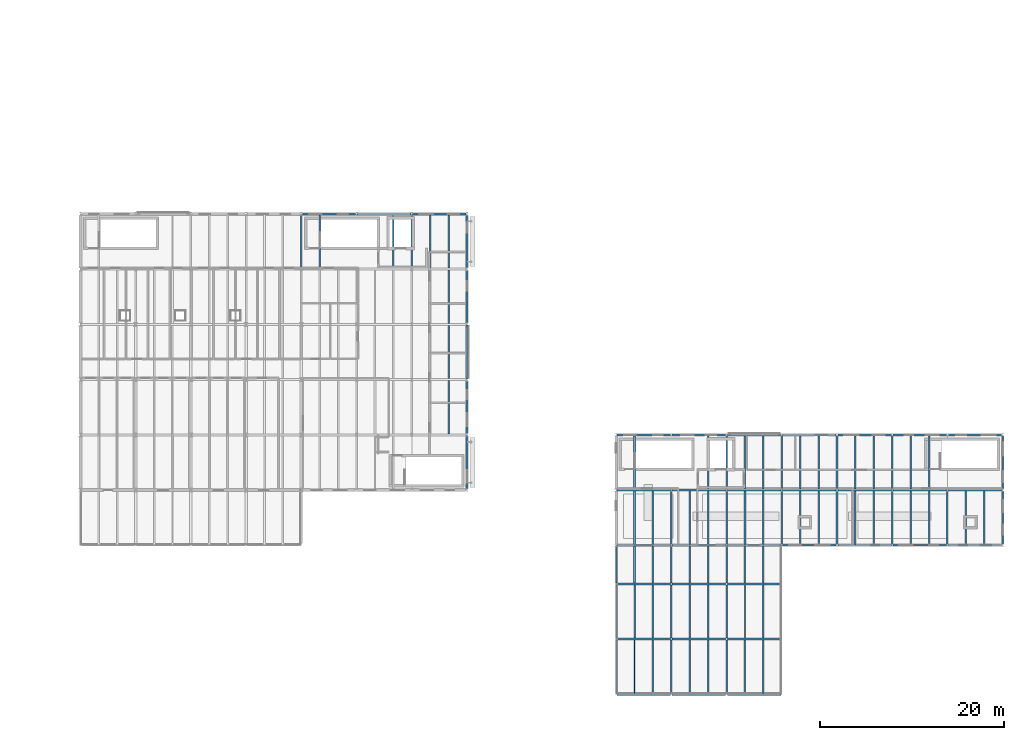
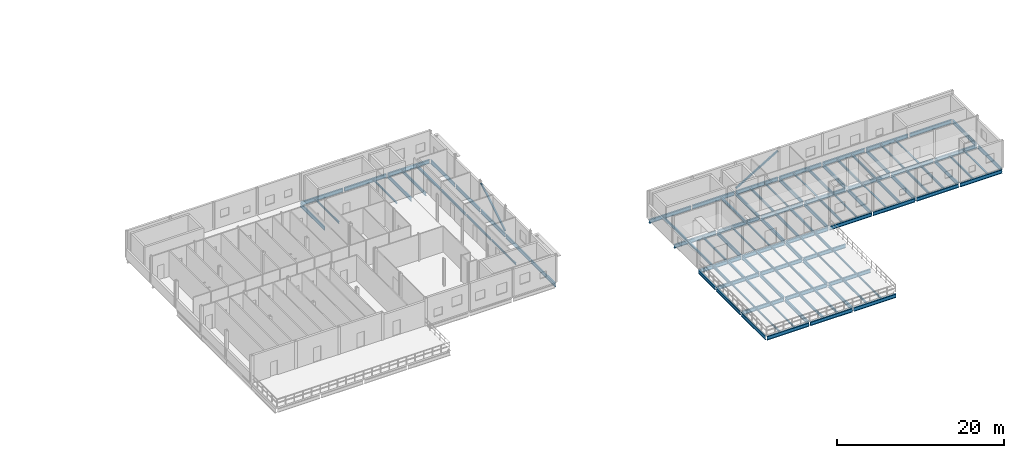
# One storey, part 10 of 45: 110 beams, 2 members.
"""IFC4 building model written with IfcOpenShell, lengths in metres."""

from ifc_helpers import new_model, si_unit, direction, frame, origin, origin_2d, place, context, subcontext, project, spatial, hollow_rectangle, i_section, extrude, material, material_profile, profile_set, type_object, element, save


model = new_model("IFC4")

# Units and contexts
model_context = context("Model", 3, precision=1e-05, world=origin(), true_north=direction((0.0, 1.0)))
body_context = subcontext(model_context, "Body", "Model", "MODEL_VIEW")
ifc_project = project(units=[si_unit("LENGTHUNIT", "METRE"), si_unit("AREAUNIT", "SQUARE_METRE"), si_unit("VOLUMEUNIT", "CUBIC_METRE"), si_unit("PLANEANGLEUNIT", "RADIAN"), si_unit("MASSUNIT", "GRAM", prefix="KILO")], contexts=[model_context])

# Site, building, storey
site_placement = place(None, origin())
site = spatial("IfcSite", under=ifc_project, at=site_placement, CompositionType="ELEMENT")
building_placement = place(site_placement, origin())
building = spatial("IfcBuilding", under=site, at=building_placement, Name="Siltcreek Boulevard Central Fire Station", CompositionType="ELEMENT")
storey_placement = place(building_placement, frame((0.0, 0.0, 10.0)))
storey = spatial("IfcBuildingStorey", under=building, at=storey_placement, Name="L03", CompositionType="ELEMENT", Elevation=10.0)

# Beams
ifc_material_1 = material(Name="Structural steel ASTM A992 Gr50", Category="steel")
ifc_material_profile_1 = material_profile(ifc_material_1, i_section(OverallWidth=0.2109375, OverallDepth=0.5390625, WebThickness=0.01171875, FlangeThickness=0.018798828125, at=origin_2d()), Name="W530X109")
ifc_profile_set_1 = profile_set([ifc_material_profile_1], Name="Structural steel ASTM A992 Gr50")
beam_type_1 = type_object("IfcBeamType", Name="BM_W530X109", PredefinedType="BEAM", material=ifc_profile_set_1)
for number, where, z_axis, x_axis, name in (
    (1, (90.10009765625, 54.0, -0.549560546875), (1.0, 0.0, 0.0), (0.0, 1.0, 0.0), "L03 primary steel girder GX-0355"),
    (2, (96.10009765625, 54.0, -0.549560546875), (1.0, 0.0, 0.0), (0.0, 1.0, 0.0), "L03 primary steel girder GX-0356"),
    (3, (102.10009765625, 54.0, -0.549560546875), (1.0, 0.0, 0.0), (0.0, 1.0, 0.0), "L03 primary steel girder GX-0357"),
):
    element("IfcBeam", number, at=place(storey_placement, frame(where, z_axis=z_axis, x_axis=x_axis)), inside=storey, type_object=beam_type_1, Name=name, PredefinedType="BEAM", context=body_context, shape_type="SweptSolid", body=[
        extrude(i_section(OverallWidth=0.2109375, OverallDepth=0.5390625, WebThickness=0.01171875, FlangeThickness=0.018798828125, at=origin_2d()), origin(), (0.0, 0.0, 1.0), 5.7998046875),
    ])
for number, where, z_axis, x_axis, name in (
    (4, (124.300048828125, 1.800048828125, -0.4794921875), (1.0, 0.0, 0.0), (0.0, 1.0, 0.0), "L03 primary steel girder GX-0465"),
    (5, (130.300048828125, 1.800048828125, -0.4794921875), (1.0, 0.0, 0.0), (0.0, 1.0, 0.0), "L03 primary steel girder GX-0466"),
    (6, (136.300048828125, 1.800048828125, -0.4794921875), (1.0, 0.0, 0.0), (0.0, 1.0, 0.0), "L03 primary steel girder GX-0467"),
    (7, (124.300048828125, 7.800048828125, -0.4794921875), (1.0, 0.0, 0.0), (0.0, 1.0, 0.0), "L03 primary steel girder GX-0468"),
    (8, (130.300048828125, 7.800048828125, -0.4794921875), (1.0, 0.0, 0.0), (0.0, 1.0, 0.0), "L03 primary steel girder GX-0469"),
    (9, (136.300048828125, 7.800048828125, -0.4794921875), (1.0, 0.0, 0.0), (0.0, 1.0, 0.0), "L03 primary steel girder GX-0470"),
    (10, (124.300048828125, 13.800048828125, -0.4794921875), (1.0, 0.0, 0.0), (0.0, 1.0, 0.0), "L03 primary steel girder GX-0471"),
    (11, (130.300048828125, 13.800048828125, -0.4794921875), (1.0, 0.0, 0.0), (0.0, 1.0, 0.0), "L03 primary steel girder GX-0472"),
    (12, (136.300048828125, 13.800048828125, -0.4794921875), (1.0, 0.0, 0.0), (0.0, 1.0, 0.0), "L03 primary steel girder GX-0473"),
    (13, (124.300048828125, 18.0, -0.549560546875), (1.0, 0.0, 0.0), (0.0, 1.0, 0.0), "L03 primary steel girder GX-0474"),
    (14, (130.300048828125, 18.0, -0.549560546875), (1.0, 0.0, 0.0), (0.0, 1.0, 0.0), "L03 primary steel girder GX-0475"),
    (15, (136.300048828125, 18.0, -0.549560546875), (1.0, 0.0, 0.0), (0.0, 1.0, 0.0), "L03 primary steel girder GX-0476"),
    (16, (142.300048828125, 18.0, -0.549560546875), (1.0, 0.0, 0.0), (0.0, 1.0, 0.0), "L03 primary steel girder GX-0477"),
    (17, (148.300048828125, 18.0, -0.549560546875), (1.0, 0.0, 0.0), (0.0, 1.0, 0.0), "L03 primary steel girder GX-0478"),
    (18, (154.300048828125, 18.0, -0.549560546875), (1.0, 0.0, 0.0), (0.0, 1.0, 0.0), "L03 primary steel girder GX-0479"),
    (19, (160.300048828125, 18.0, -0.549560546875), (1.0, 0.0, 0.0), (0.0, 1.0, 0.0), "L03 primary steel girder GX-0480"),
    (20, (124.300048828125, 24.0, -0.549560546875), (1.0, 0.0, 0.0), (0.0, 1.0, 0.0), "L03 primary steel girder GX-0481"),
    (21, (130.300048828125, 24.0, -0.549560546875), (1.0, 0.0, 0.0), (0.0, 1.0, 0.0), "L03 primary steel girder GX-0482"),
    (22, (136.300048828125, 24.0, -0.549560546875), (1.0, 0.0, 0.0), (0.0, 1.0, 0.0), "L03 primary steel girder GX-0483"),
    (23, (142.300048828125, 24.0, -0.549560546875), (1.0, 0.0, 0.0), (0.0, 1.0, 0.0), "L03 primary steel girder GX-0484"),
    (24, (148.300048828125, 24.0, -0.549560546875), (1.0, 0.0, 0.0), (0.0, 1.0, 0.0), "L03 primary steel girder GX-0485"),
    (25, (154.300048828125, 24.0, -0.549560546875), (1.0, 0.0, 0.0), (0.0, 1.0, 0.0), "L03 primary steel girder GX-0486"),
    (26, (160.300048828125, 24.0, -0.549560546875), (1.0, 0.0, 0.0), (0.0, 1.0, 0.0), "L03 primary steel girder GX-0487"),
    (27, (124.300048828125, 30.0, -0.549560546875), (1.0, 0.0, 0.0), (0.0, 1.0, 0.0), "L03 primary steel girder GX-0488"),
    (28, (130.300048828125, 30.0, -0.549560546875), (1.0, 0.0, 0.0), (0.0, 1.0, 0.0), "L03 primary steel girder GX-0489"),
    (29, (136.300048828125, 30.0, -0.549560546875), (1.0, 0.0, 0.0), (0.0, 1.0, 0.0), "L03 primary steel girder GX-0490"),
    (30, (142.300048828125, 30.0, -0.549560546875), (1.0, 0.0, 0.0), (0.0, 1.0, 0.0), "L03 primary steel girder GX-0491"),
    (31, (148.300048828125, 30.0, -0.549560546875), (1.0, 0.0, 0.0), (0.0, 1.0, 0.0), "L03 primary steel girder GX-0492"),
    (32, (154.300048828125, 30.0, -0.549560546875), (1.0, 0.0, 0.0), (0.0, 1.0, 0.0), "L03 primary steel girder GX-0493"),
    (33, (160.300048828125, 30.0, -0.549560546875), (1.0, 0.0, 0.0), (0.0, 1.0, 0.0), "L03 primary steel girder GX-0494"),
):
    element("IfcBeam", number, at=place(storey_placement, frame(where, z_axis=z_axis, x_axis=x_axis)), inside=storey, type_object=beam_type_1, Name=name, PredefinedType="BEAM", context=body_context, shape_type="SweptSolid", body=[
        extrude(i_section(OverallWidth=0.2109375, OverallDepth=0.5390625, WebThickness=0.01171875, FlangeThickness=0.018798828125, at=origin_2d()), origin(), (0.0, 0.0, 1.0), 5.800048828125),
    ])
ifc_material_profile_2 = material_profile(ifc_material_1, i_section(OverallWidth=0.166015625, OverallDepth=0.534912109375, WebThickness=0.01025390625, FlangeThickness=0.0166015625, at=origin_2d()), Name="W530X85")
ifc_profile_set_2 = profile_set([ifc_material_profile_2], Name="Structural steel ASTM A992 Gr50")
beam_type_2 = type_object("IfcBeamType", Name="BM_W530X85", PredefinedType="BEAM", material=ifc_profile_set_2)
for number, where, z_axis, x_axis, name in (
    (34, (90.0, 48.10009765625, -0.547607421875), (0.0, 1.0, 0.0), (-1.0, 0.0, 0.0), "L03 primary steel girder GY-0364"),
    (35, (102.0, 48.10009765625, -0.547607421875), (0.0, 1.0, 0.0), (-1.0, 0.0, 0.0), "L03 primary steel girder GY-0372"),
    (36, (108.0, 24.10009765625, -0.547607421875), (0.0, 1.0, 0.0), (-1.0, 0.0, 0.0), "L03 primary steel girder GY-0373"),
    (37, (108.0, 30.10009765625, -0.547607421875), (0.0, 1.0, 0.0), (-1.0, 0.0, 0.0), "L03 primary steel girder GY-0374"),
    (38, (108.0, 36.10009765625, -0.547607421875), (0.0, 1.0, 0.0), (-1.0, 0.0, 0.0), "L03 primary steel girder GY-0375"),
    (39, (108.0, 42.10009765625, -0.547607421875), (0.0, 1.0, 0.0), (-1.0, 0.0, 0.0), "L03 primary steel girder GY-0376"),
    (40, (108.0, 48.10009765625, -0.547607421875), (0.0, 1.0, 0.0), (-1.0, 0.0, 0.0), "L03 primary steel girder GY-0377"),
):
    element("IfcBeam", number, at=place(storey_placement, frame(where, z_axis=z_axis, x_axis=x_axis)), inside=storey, type_object=beam_type_2, Name=name, PredefinedType="BEAM", context=body_context, shape_type="SweptSolid", body=[
        extrude(i_section(OverallWidth=0.166015625, OverallDepth=0.534912109375, WebThickness=0.01025390625, FlangeThickness=0.0166015625, at=origin_2d()), origin(), (0.0, 0.0, 1.0), 5.7998046875),
    ])
for number, where, z_axis, x_axis, name in (
    (41, (124.199951171875, 1.89990234375, -0.4775390625), (0.0, 1.0, 0.0), (-1.0, 0.0, 0.0), "L03 primary steel girder GY-0495"),
    (42, (124.199951171875, 7.89990234375, -0.4775390625), (0.0, 1.0, 0.0), (-1.0, 0.0, 0.0), "L03 primary steel girder GY-0496"),
):
    element("IfcBeam", number, at=place(storey_placement, frame(where, z_axis=z_axis, x_axis=x_axis)), inside=storey, type_object=beam_type_2, Name=name, PredefinedType="BEAM", context=body_context, shape_type="SweptSolid", body=[
        extrude(i_section(OverallWidth=0.166015625, OverallDepth=0.534912109375, WebThickness=0.01025390625, FlangeThickness=0.0166015625, at=origin_2d()), origin(), (0.0, 0.0, 1.0), 5.800048828125),
    ])
beam_1_placement = place(storey_placement, frame((124.199951171875, 13.89990234375, -0.4775390625), z_axis=(0.0, 1.0, 0.0), x_axis=(-1.0, 0.0, 0.0)))
element("IfcBeam", 43, at=beam_1_placement, inside=storey, type_object=beam_type_2, Name="L03 primary steel girder GY-0497", PredefinedType="BEAM", context=body_context, shape_type="SweptSolid", body=[
    extrude(i_section(OverallWidth=0.166015625, OverallDepth=0.534912109375, WebThickness=0.01025390625, FlangeThickness=0.0166015625, at=origin_2d()), origin(), (0.0, 0.0, 1.0), 4.0),
])
for number, where, z_axis, x_axis, name in (
    (44, (130.199951171875, 1.89990234375, -0.4775390625), (0.0, 1.0, 0.0), (-1.0, 0.0, 0.0), "L03 primary steel girder GY-0498"),
    (45, (130.199951171875, 7.89990234375, -0.4775390625), (0.0, 1.0, 0.0), (-1.0, 0.0, 0.0), "L03 primary steel girder GY-0499"),
):
    element("IfcBeam", number, at=place(storey_placement, frame(where, z_axis=z_axis, x_axis=x_axis)), inside=storey, type_object=beam_type_2, Name=name, PredefinedType="BEAM", context=body_context, shape_type="SweptSolid", body=[
        extrude(i_section(OverallWidth=0.166015625, OverallDepth=0.534912109375, WebThickness=0.01025390625, FlangeThickness=0.0166015625, at=origin_2d()), origin(), (0.0, 0.0, 1.0), 5.800048828125),
    ])
beam_2_placement = place(storey_placement, frame((130.199951171875, 13.89990234375, -0.4775390625), z_axis=(0.0, 1.0, 0.0), x_axis=(-1.0, 0.0, 0.0)))
element("IfcBeam", 46, at=beam_2_placement, inside=storey, type_object=beam_type_2, Name="L03 primary steel girder GY-0500", PredefinedType="BEAM", context=body_context, shape_type="SweptSolid", body=[
    extrude(i_section(OverallWidth=0.166015625, OverallDepth=0.534912109375, WebThickness=0.01025390625, FlangeThickness=0.0166015625, at=origin_2d()), origin(), (0.0, 0.0, 1.0), 4.0),
])
beam_3_placement = place(storey_placement, frame((130.199951171875, 18.10009765625, -0.547607421875), z_axis=(0.0, 1.0, 0.0), x_axis=(-1.0, 0.0, 0.0)))
element("IfcBeam", 47, at=beam_3_placement, inside=storey, type_object=beam_type_2, Name="L03 primary steel girder GY-0501", PredefinedType="BEAM", context=body_context, shape_type="SweptSolid", body=[
    extrude(i_section(OverallWidth=0.166015625, OverallDepth=0.534912109375, WebThickness=0.01025390625, FlangeThickness=0.0166015625, at=origin_2d()), origin(), (0.0, 0.0, 1.0), 5.7998046875),
])
for number, where, z_axis, x_axis, name in (
    (48, (136.199951171875, 1.89990234375, -0.4775390625), (0.0, 1.0, 0.0), (-1.0, 0.0, 0.0), "L03 primary steel girder GY-0502"),
    (49, (136.199951171875, 7.89990234375, -0.4775390625), (0.0, 1.0, 0.0), (-1.0, 0.0, 0.0), "L03 primary steel girder GY-0503"),
):
    element("IfcBeam", number, at=place(storey_placement, frame(where, z_axis=z_axis, x_axis=x_axis)), inside=storey, type_object=beam_type_2, Name=name, PredefinedType="BEAM", context=body_context, shape_type="SweptSolid", body=[
        extrude(i_section(OverallWidth=0.166015625, OverallDepth=0.534912109375, WebThickness=0.01025390625, FlangeThickness=0.0166015625, at=origin_2d()), origin(), (0.0, 0.0, 1.0), 5.800048828125),
    ])
beam_4_placement = place(storey_placement, frame((136.199951171875, 13.89990234375, -0.4775390625), z_axis=(0.0, 1.0, 0.0), x_axis=(-1.0, 0.0, 0.0)))
element("IfcBeam", 50, at=beam_4_placement, inside=storey, type_object=beam_type_2, Name="L03 primary steel girder GY-0504", PredefinedType="BEAM", context=body_context, shape_type="SweptSolid", body=[
    extrude(i_section(OverallWidth=0.166015625, OverallDepth=0.534912109375, WebThickness=0.01025390625, FlangeThickness=0.0166015625, at=origin_2d()), origin(), (0.0, 0.0, 1.0), 4.0),
])
for number, where, z_axis, x_axis, name in (
    (51, (136.199951171875, 18.10009765625, -0.547607421875), (0.0, 1.0, 0.0), (-1.0, 0.0, 0.0), "L03 primary steel girder GY-0505"),
    (52, (136.199951171875, 24.10009765625, -0.547607421875), (0.0, 1.0, 0.0), (-1.0, 0.0, 0.0), "L03 primary steel girder GY-0506"),
    (53, (142.199951171875, 18.10009765625, -0.547607421875), (0.0, 1.0, 0.0), (-1.0, 0.0, 0.0), "L03 primary steel girder GY-0507"),
    (54, (142.199951171875, 24.10009765625, -0.547607421875), (0.0, 1.0, 0.0), (-1.0, 0.0, 0.0), "L03 primary steel girder GY-0508"),
    (55, (148.199951171875, 18.10009765625, -0.547607421875), (0.0, 1.0, 0.0), (-1.0, 0.0, 0.0), "L03 primary steel girder GY-0509"),
    (56, (148.199951171875, 24.10009765625, -0.547607421875), (0.0, 1.0, 0.0), (-1.0, 0.0, 0.0), "L03 primary steel girder GY-0510"),
    (57, (154.199951171875, 18.10009765625, -0.547607421875), (0.0, 1.0, 0.0), (-1.0, 0.0, 0.0), "L03 primary steel girder GY-0511"),
    (58, (154.199951171875, 24.10009765625, -0.547607421875), (0.0, 1.0, 0.0), (-1.0, 0.0, 0.0), "L03 primary steel girder GY-0512"),
    (59, (160.199951171875, 18.10009765625, -0.547607421875), (0.0, 1.0, 0.0), (-1.0, 0.0, 0.0), "L03 primary steel girder GY-0513"),
    (60, (166.199951171875, 18.10009765625, -0.547607421875), (0.0, 1.0, 0.0), (-1.0, 0.0, 0.0), "L03 primary steel girder GY-0514"),
    (61, (166.199951171875, 24.10009765625, -0.547607421875), (0.0, 1.0, 0.0), (-1.0, 0.0, 0.0), "L03 primary steel girder GY-0515"),
):
    element("IfcBeam", number, at=place(storey_placement, frame(where, z_axis=z_axis, x_axis=x_axis)), inside=storey, type_object=beam_type_2, Name=name, PredefinedType="BEAM", context=body_context, shape_type="SweptSolid", body=[
        extrude(i_section(OverallWidth=0.166015625, OverallDepth=0.534912109375, WebThickness=0.01025390625, FlangeThickness=0.0166015625, at=origin_2d()), origin(), (0.0, 0.0, 1.0), 5.7998046875),
    ])

# Members
ifc_material_2 = material(Name="Structural steel ASTM A500 GrC", Category="steel")
ifc_material_profile_3 = material_profile(ifc_material_2, hollow_rectangle(XDim=0.199951171875, YDim=0.199951171875, WallThickness=0.00634765625, at=origin_2d()), Name="HSS200X200X6.4")
ifc_profile_set_3 = profile_set([ifc_material_profile_3], Name="Structural steel ASTM A500 GrC")
member_type = type_object("IfcMemberType", Name="BR_HSS200_6", PredefinedType="BRACE", material=ifc_profile_set_3)
member_1_placement = place(storey_placement, frame((108.0, 36.1201171875, 0.10009765625), z_axis=(0.0, 0.857880912355, 0.513848557667), x_axis=(-1.0, 0.0, 0.0)))
element("IfcMember", 62, at=member_1_placement, inside=storey, type_object=member_type, Name="L03 buckling-restrained brace BR-010", PredefinedType="BRACE", context=body_context, shape_type="SweptSolid", body=[
    extrude(hollow_rectangle(XDim=0.199951171875, YDim=0.199951171875, WallThickness=0.00634765625, at=origin_2d()), origin(), (0.0, 0.0, 1.0), 6.7138671875),
])
member_2_placement = place(storey_placement, frame((136.320068359375, 30.0, 0.10009765625), z_axis=(0.857890513261, 0.0, 0.513832528415), x_axis=(0.0, 1.0, 0.0)))
element("IfcMember", 63, at=member_2_placement, inside=storey, type_object=member_type, Name="L03 buckling-restrained brace BR-041", PredefinedType="BRACE", context=body_context, shape_type="SweptSolid", body=[
    extrude(hollow_rectangle(XDim=0.199951171875, YDim=0.199951171875, WallThickness=0.00634765625, at=origin_2d()), origin(), (0.0, 0.0, 1.0), 6.714111328125),
])

# Beams
ifc_material_profile_4 = material_profile(ifc_material_1, i_section(OverallWidth=0.1650390625, OverallDepth=0.200927734375, WebThickness=0.006103515625, FlangeThickness=0.01025390625, at=origin_2d()), Name="W200X36")
ifc_profile_set_4 = profile_set([ifc_material_profile_4], Name="Structural steel ASTM A992 Gr50")
beam_type_3 = type_object("IfcBeamType", Name="JST_W200X36", PredefinedType="JOIST", material=ifc_profile_set_4)
for number, where, z_axis, x_axis, name in (
    (64, (100.0, 48.103515625, -0.380615234375), (0.0, 1.0, 0.0), (-1.0, 0.0, 0.0), "L03 secondary steel floor joist 0336"),
    (65, (128.199951171875, 1.903564453125, -0.310546875), (0.0, 1.0, 0.0), (-1.0, 0.0, 0.0), "L03 secondary steel floor joist 0406"),
    (66, (126.199951171875, 7.903564453125, -0.310546875), (0.0, 1.0, 0.0), (-1.0, 0.0, 0.0), "L03 secondary steel floor joist 0411"),
    (67, (140.199951171875, 7.903564453125, -0.310546875), (0.0, 1.0, 0.0), (-1.0, 0.0, 0.0), "L03 secondary steel floor joist 0416"),
):
    element("IfcBeam", number, at=place(storey_placement, frame(where, z_axis=z_axis, x_axis=x_axis)), inside=storey, type_object=beam_type_3, Name=name, PredefinedType="JOIST", context=body_context, shape_type="SweptSolid", body=[
        extrude(i_section(OverallWidth=0.1650390625, OverallDepth=0.200927734375, WebThickness=0.006103515625, FlangeThickness=0.01025390625, at=origin_2d()), origin(), (0.0, 0.0, 1.0), 5.79296875),
    ])
beam_5_placement = place(storey_placement, frame((138.199951171875, 13.903564453125, -0.310546875), z_axis=(0.0, 1.0, 0.0), x_axis=(-1.0, 0.0, 0.0)))
element("IfcBeam", 68, at=beam_5_placement, inside=storey, type_object=beam_type_3, Name="L03 secondary steel floor joist 0421", PredefinedType="JOIST", context=body_context, shape_type="SweptSolid", body=[
    extrude(i_section(OverallWidth=0.1650390625, OverallDepth=0.200927734375, WebThickness=0.006103515625, FlangeThickness=0.01025390625, at=origin_2d()), origin(), (0.0, 0.0, 1.0), 3.992919921875),
])
for number, where, z_axis, x_axis, name in (
    (69, (134.199951171875, 18.103515625, -0.380615234375), (0.0, 1.0, 0.0), (-1.0, 0.0, 0.0), "L03 secondary steel floor joist 0426"),
    (70, (150.199951171875, 18.103515625, -0.380615234375), (0.0, 1.0, 0.0), (-1.0, 0.0, 0.0), "L03 secondary steel floor joist 0431"),
    (71, (164.199951171875, 18.103515625, -0.380615234375), (0.0, 1.0, 0.0), (-1.0, 0.0, 0.0), "L03 secondary steel floor joist 0436"),
    (72, (144.199951171875, 24.103515625, -0.380615234375), (0.0, 1.0, 0.0), (-1.0, 0.0, 0.0), "L03 secondary steel floor joist 0441"),
    (73, (158.199951171875, 24.103515625, -0.380615234375), (0.0, 1.0, 0.0), (-1.0, 0.0, 0.0), "L03 secondary steel floor joist 0446"),
):
    element("IfcBeam", number, at=place(storey_placement, frame(where, z_axis=z_axis, x_axis=x_axis)), inside=storey, type_object=beam_type_3, Name=name, PredefinedType="JOIST", context=body_context, shape_type="SweptSolid", body=[
        extrude(i_section(OverallWidth=0.1650390625, OverallDepth=0.200927734375, WebThickness=0.006103515625, FlangeThickness=0.01025390625, at=origin_2d()), origin(), (0.0, 0.0, 1.0), 5.79296875),
    ])
ifc_material_profile_5 = material_profile(ifc_material_1, i_section(OverallWidth=0.14697265625, OverallDepth=0.261962890625, WebThickness=0.006591796875, FlangeThickness=0.01123046875, at=origin_2d()), Name="W250X39")
ifc_profile_set_5 = profile_set([ifc_material_profile_5], Name="Structural steel ASTM A992 Gr50")
beam_type_4 = type_object("IfcBeamType", Name="JST_W250X39", PredefinedType="JOIST", material=ifc_profile_set_5)
for number, where, z_axis, x_axis, name in (
    (74, (106.0, 30.103515625, -0.410888671875), (0.0, 1.0, 0.0), (-1.0, 0.0, 0.0), "L03 secondary steel floor joist 0300"),
    (75, (92.0, 48.103515625, -0.410888671875), (0.0, 1.0, 0.0), (-1.0, 0.0, 0.0), "L03 secondary steel floor joist 0335"),
    (76, (126.199951171875, 1.903564453125, -0.341064453125), (0.0, 1.0, 0.0), (-1.0, 0.0, 0.0), "L03 secondary steel floor joist 0405"),
    (77, (140.199951171875, 1.903564453125, -0.341064453125), (0.0, 1.0, 0.0), (-1.0, 0.0, 0.0), "L03 secondary steel floor joist 0410"),
    (78, (138.199951171875, 7.903564453125, -0.341064453125), (0.0, 1.0, 0.0), (-1.0, 0.0, 0.0), "L03 secondary steel floor joist 0415"),
):
    element("IfcBeam", number, at=place(storey_placement, frame(where, z_axis=z_axis, x_axis=x_axis)), inside=storey, type_object=beam_type_4, Name=name, PredefinedType="JOIST", context=body_context, shape_type="SweptSolid", body=[
        extrude(i_section(OverallWidth=0.14697265625, OverallDepth=0.261962890625, WebThickness=0.006591796875, FlangeThickness=0.01123046875, at=origin_2d()), origin(), (0.0, 0.0, 1.0), 5.79296875),
    ])
beam_6_placement = place(storey_placement, frame((134.199951171875, 13.903564453125, -0.341064453125), z_axis=(0.0, 1.0, 0.0), x_axis=(-1.0, 0.0, 0.0)))
element("IfcBeam", 79, at=beam_6_placement, inside=storey, type_object=beam_type_4, Name="L03 secondary steel floor joist 0420", PredefinedType="JOIST", context=body_context, shape_type="SweptSolid", body=[
    extrude(i_section(OverallWidth=0.14697265625, OverallDepth=0.261962890625, WebThickness=0.006591796875, FlangeThickness=0.01123046875, at=origin_2d()), origin(), (0.0, 0.0, 1.0), 3.992919921875),
])
for number, where, z_axis, x_axis, name in (
    (80, (132.199951171875, 18.103515625, -0.410888671875), (0.0, 1.0, 0.0), (-1.0, 0.0, 0.0), "L03 secondary steel floor joist 0425"),
    (81, (146.199951171875, 18.103515625, -0.410888671875), (0.0, 1.0, 0.0), (-1.0, 0.0, 0.0), "L03 secondary steel floor joist 0430"),
    (82, (162.199951171875, 18.103515625, -0.410888671875), (0.0, 1.0, 0.0), (-1.0, 0.0, 0.0), "L03 secondary steel floor joist 0435"),
    (83, (140.199951171875, 24.103515625, -0.410888671875), (0.0, 1.0, 0.0), (-1.0, 0.0, 0.0), "L03 secondary steel floor joist 0440"),
    (84, (156.199951171875, 24.103515625, -0.410888671875), (0.0, 1.0, 0.0), (-1.0, 0.0, 0.0), "L03 secondary steel floor joist 0445"),
):
    element("IfcBeam", number, at=place(storey_placement, frame(where, z_axis=z_axis, x_axis=x_axis)), inside=storey, type_object=beam_type_4, Name=name, PredefinedType="JOIST", context=body_context, shape_type="SweptSolid", body=[
        extrude(i_section(OverallWidth=0.14697265625, OverallDepth=0.261962890625, WebThickness=0.006591796875, FlangeThickness=0.01123046875, at=origin_2d()), origin(), (0.0, 0.0, 1.0), 5.79296875),
    ])
ifc_material_profile_6 = material_profile(ifc_material_1, i_section(OverallWidth=0.166015625, OverallDepth=0.31298828125, WebThickness=0.006591796875, FlangeThickness=0.01123046875, at=origin_2d()), Name="W310X45")
ifc_profile_set_6 = profile_set([ifc_material_profile_6], Name="Structural steel ASTM A992 Gr50")
beam_type_5 = type_object("IfcBeamType", Name="JST_W310X45", PredefinedType="JOIST", material=ifc_profile_set_6)
for number, where, z_axis, x_axis, name in (
    (85, (106.0, 36.103515625, -0.4365234375), (0.0, 1.0, 0.0), (-1.0, 0.0, 0.0), "L03 secondary steel floor joist 0314"),
    (86, (138.199951171875, 1.903564453125, -0.366455078125), (0.0, 1.0, 0.0), (-1.0, 0.0, 0.0), "L03 secondary steel floor joist 0409"),
    (87, (134.199951171875, 7.903564453125, -0.366455078125), (0.0, 1.0, 0.0), (-1.0, 0.0, 0.0), "L03 secondary steel floor joist 0414"),
):
    element("IfcBeam", number, at=place(storey_placement, frame(where, z_axis=z_axis, x_axis=x_axis)), inside=storey, type_object=beam_type_5, Name=name, PredefinedType="JOIST", context=body_context, shape_type="SweptSolid", body=[
        extrude(i_section(OverallWidth=0.166015625, OverallDepth=0.31298828125, WebThickness=0.006591796875, FlangeThickness=0.01123046875, at=origin_2d()), origin(), (0.0, 0.0, 1.0), 5.79296875),
    ])
beam_7_placement = place(storey_placement, frame((132.199951171875, 13.903564453125, -0.366455078125), z_axis=(0.0, 1.0, 0.0), x_axis=(-1.0, 0.0, 0.0)))
element("IfcBeam", 88, at=beam_7_placement, inside=storey, type_object=beam_type_5, Name="L03 secondary steel floor joist 0419", PredefinedType="JOIST", context=body_context, shape_type="SweptSolid", body=[
    extrude(i_section(OverallWidth=0.166015625, OverallDepth=0.31298828125, WebThickness=0.006591796875, FlangeThickness=0.01123046875, at=origin_2d()), origin(), (0.0, 0.0, 1.0), 3.992919921875),
])
for number, where, z_axis, x_axis, name in (
    (89, (128.199951171875, 18.103515625, -0.4365234375), (0.0, 1.0, 0.0), (-1.0, 0.0, 0.0), "L03 secondary steel floor joist 0424"),
    (90, (144.199951171875, 18.103515625, -0.4365234375), (0.0, 1.0, 0.0), (-1.0, 0.0, 0.0), "L03 secondary steel floor joist 0429"),
    (91, (158.199951171875, 18.103515625, -0.4365234375), (0.0, 1.0, 0.0), (-1.0, 0.0, 0.0), "L03 secondary steel floor joist 0434"),
    (92, (138.199951171875, 24.103515625, -0.4365234375), (0.0, 1.0, 0.0), (-1.0, 0.0, 0.0), "L03 secondary steel floor joist 0439"),
    (93, (152.199951171875, 24.103515625, -0.4365234375), (0.0, 1.0, 0.0), (-1.0, 0.0, 0.0), "L03 secondary steel floor joist 0444"),
):
    element("IfcBeam", number, at=place(storey_placement, frame(where, z_axis=z_axis, x_axis=x_axis)), inside=storey, type_object=beam_type_5, Name=name, PredefinedType="JOIST", context=body_context, shape_type="SweptSolid", body=[
        extrude(i_section(OverallWidth=0.166015625, OverallDepth=0.31298828125, WebThickness=0.006591796875, FlangeThickness=0.01123046875, at=origin_2d()), origin(), (0.0, 0.0, 1.0), 5.79296875),
    ])
ifc_material_profile_7 = material_profile(ifc_material_1, i_section(OverallWidth=0.172119140625, OverallDepth=0.35791015625, WebThickness=0.0078125, FlangeThickness=0.01318359375, at=origin_2d()), Name="W360X57")
ifc_profile_set_7 = profile_set([ifc_material_profile_7], Name="Structural steel ASTM A992 Gr50")
beam_type_6 = type_object("IfcBeamType", Name="JST_W360X57", PredefinedType="JOIST", material=ifc_profile_set_7)
for number, where, z_axis, x_axis, name in (
    (94, (106.0, 42.103515625, -0.458984375), (0.0, 1.0, 0.0), (-1.0, 0.0, 0.0), "L03 secondary steel floor joist 0328"),
    (95, (106.0, 48.103515625, -0.458984375), (0.0, 1.0, 0.0), (-1.0, 0.0, 0.0), "L03 secondary steel floor joist 0338"),
    (96, (134.199951171875, 1.903564453125, -0.388916015625), (0.0, 1.0, 0.0), (-1.0, 0.0, 0.0), "L03 secondary steel floor joist 0408"),
    (97, (132.199951171875, 7.903564453125, -0.388916015625), (0.0, 1.0, 0.0), (-1.0, 0.0, 0.0), "L03 secondary steel floor joist 0413"),
):
    element("IfcBeam", number, at=place(storey_placement, frame(where, z_axis=z_axis, x_axis=x_axis)), inside=storey, type_object=beam_type_6, Name=name, PredefinedType="JOIST", context=body_context, shape_type="SweptSolid", body=[
        extrude(i_section(OverallWidth=0.172119140625, OverallDepth=0.35791015625, WebThickness=0.0078125, FlangeThickness=0.01318359375, at=origin_2d()), origin(), (0.0, 0.0, 1.0), 5.79296875),
    ])
beam_8_placement = place(storey_placement, frame((128.199951171875, 13.903564453125, -0.388916015625), z_axis=(0.0, 1.0, 0.0), x_axis=(-1.0, 0.0, 0.0)))
element("IfcBeam", 98, at=beam_8_placement, inside=storey, type_object=beam_type_6, Name="L03 secondary steel floor joist 0418", PredefinedType="JOIST", context=body_context, shape_type="SweptSolid", body=[
    extrude(i_section(OverallWidth=0.172119140625, OverallDepth=0.35791015625, WebThickness=0.0078125, FlangeThickness=0.01318359375, at=origin_2d()), origin(), (0.0, 0.0, 1.0), 3.992919921875),
])
for number, where, z_axis, x_axis, name in (
    (99, (126.199951171875, 18.103515625, -0.458984375), (0.0, 1.0, 0.0), (-1.0, 0.0, 0.0), "L03 secondary steel floor joist 0423"),
    (100, (140.199951171875, 18.103515625, -0.458984375), (0.0, 1.0, 0.0), (-1.0, 0.0, 0.0), "L03 secondary steel floor joist 0428"),
    (101, (156.199951171875, 18.103515625, -0.458984375), (0.0, 1.0, 0.0), (-1.0, 0.0, 0.0), "L03 secondary steel floor joist 0433"),
    (102, (134.199951171875, 24.103515625, -0.458984375), (0.0, 1.0, 0.0), (-1.0, 0.0, 0.0), "L03 secondary steel floor joist 0438"),
    (103, (150.199951171875, 24.103515625, -0.458984375), (0.0, 1.0, 0.0), (-1.0, 0.0, 0.0), "L03 secondary steel floor joist 0443"),
):
    element("IfcBeam", number, at=place(storey_placement, frame(where, z_axis=z_axis, x_axis=x_axis)), inside=storey, type_object=beam_type_6, Name=name, PredefinedType="JOIST", context=body_context, shape_type="SweptSolid", body=[
        extrude(i_section(OverallWidth=0.172119140625, OverallDepth=0.35791015625, WebThickness=0.0078125, FlangeThickness=0.01318359375, at=origin_2d()), origin(), (0.0, 0.0, 1.0), 5.79296875),
    ])
ifc_material_profile_8 = material_profile(ifc_material_1, i_section(OverallWidth=0.177001953125, OverallDepth=0.403076171875, WebThickness=0.007568359375, FlangeThickness=0.010986328125, at=origin_2d()), Name="W410X53")
ifc_profile_set_8 = profile_set([ifc_material_profile_8], Name="Structural steel ASTM A992 Gr50")
beam_type_7 = type_object("IfcBeamType", Name="JST_W410X53", PredefinedType="JOIST", material=ifc_profile_set_8)
for number, where, z_axis, x_axis, name in (
    (104, (104.0, 48.103515625, -0.4814453125), (0.0, 1.0, 0.0), (-1.0, 0.0, 0.0), "L03 secondary steel floor joist 0337"),
    (105, (132.199951171875, 1.903564453125, -0.41162109375), (0.0, 1.0, 0.0), (-1.0, 0.0, 0.0), "L03 secondary steel floor joist 0407"),
    (106, (128.199951171875, 7.903564453125, -0.41162109375), (0.0, 1.0, 0.0), (-1.0, 0.0, 0.0), "L03 secondary steel floor joist 0412"),
):
    element("IfcBeam", number, at=place(storey_placement, frame(where, z_axis=z_axis, x_axis=x_axis)), inside=storey, type_object=beam_type_7, Name=name, PredefinedType="JOIST", context=body_context, shape_type="SweptSolid", body=[
        extrude(i_section(OverallWidth=0.177001953125, OverallDepth=0.403076171875, WebThickness=0.007568359375, FlangeThickness=0.010986328125, at=origin_2d()), origin(), (0.0, 0.0, 1.0), 5.79296875),
    ])
for number, where, z_axis, x_axis, name in (
    (107, (126.199951171875, 13.903564453125, -0.41162109375), (0.0, 1.0, 0.0), (-1.0, 0.0, 0.0), "L03 secondary steel floor joist 0417"),
    (108, (140.199951171875, 13.903564453125, -0.41162109375), (0.0, 1.0, 0.0), (-1.0, 0.0, 0.0), "L03 secondary steel floor joist 0422"),
):
    element("IfcBeam", number, at=place(storey_placement, frame(where, z_axis=z_axis, x_axis=x_axis)), inside=storey, type_object=beam_type_7, Name=name, PredefinedType="JOIST", context=body_context, shape_type="SweptSolid", body=[
        extrude(i_section(OverallWidth=0.177001953125, OverallDepth=0.403076171875, WebThickness=0.007568359375, FlangeThickness=0.010986328125, at=origin_2d()), origin(), (0.0, 0.0, 1.0), 3.992919921875),
    ])
for number, where, z_axis, x_axis, name in (
    (109, (138.199951171875, 18.103515625, -0.4814453125), (0.0, 1.0, 0.0), (-1.0, 0.0, 0.0), "L03 secondary steel floor joist 0427"),
    (110, (152.199951171875, 18.103515625, -0.4814453125), (0.0, 1.0, 0.0), (-1.0, 0.0, 0.0), "L03 secondary steel floor joist 0432"),
    (111, (126.199951171875, 24.103515625, -0.4814453125), (0.0, 1.0, 0.0), (-1.0, 0.0, 0.0), "L03 secondary steel floor joist 0437"),
    (112, (146.199951171875, 24.103515625, -0.4814453125), (0.0, 1.0, 0.0), (-1.0, 0.0, 0.0), "L03 secondary steel floor joist 0442"),
):
    element("IfcBeam", number, at=place(storey_placement, frame(where, z_axis=z_axis, x_axis=x_axis)), inside=storey, type_object=beam_type_7, Name=name, PredefinedType="JOIST", context=body_context, shape_type="SweptSolid", body=[
        extrude(i_section(OverallWidth=0.177001953125, OverallDepth=0.403076171875, WebThickness=0.007568359375, FlangeThickness=0.010986328125, at=origin_2d()), origin(), (0.0, 0.0, 1.0), 5.79296875),
    ])

save(model, "model.ifc")
